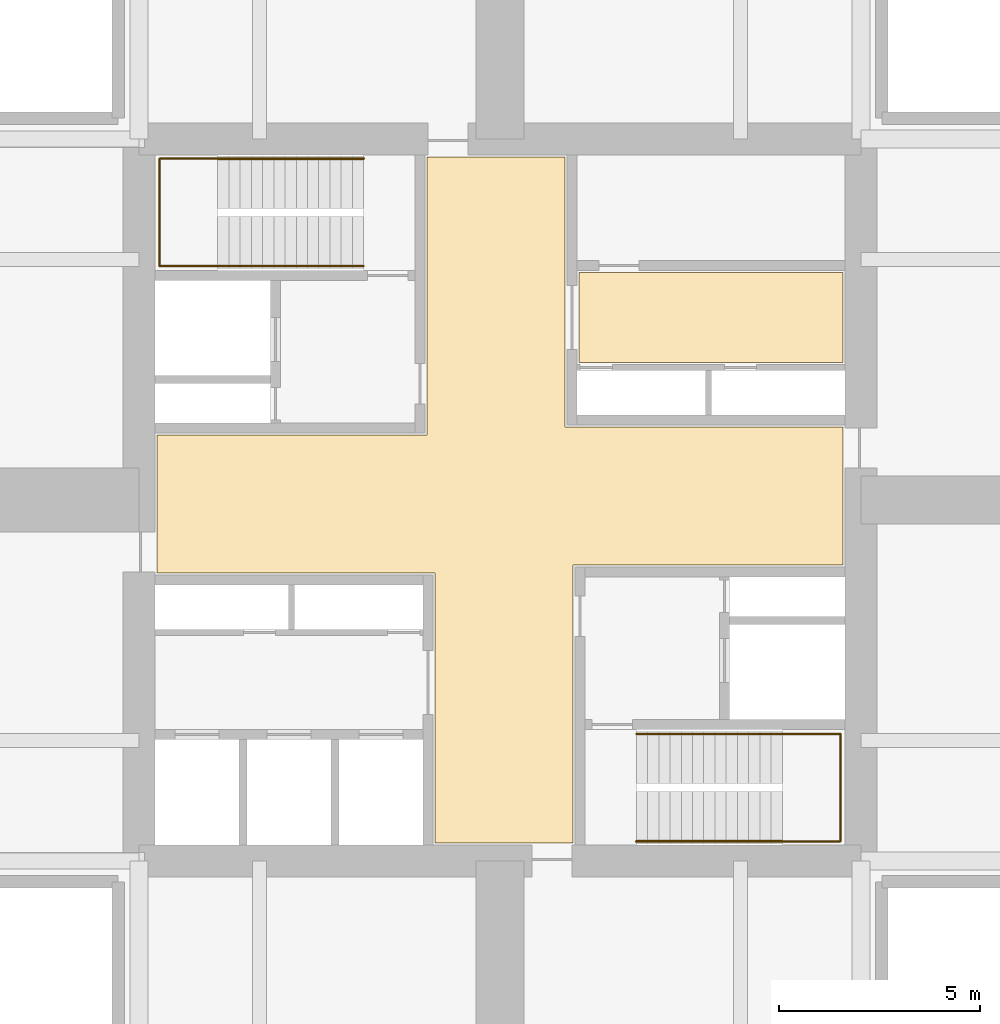
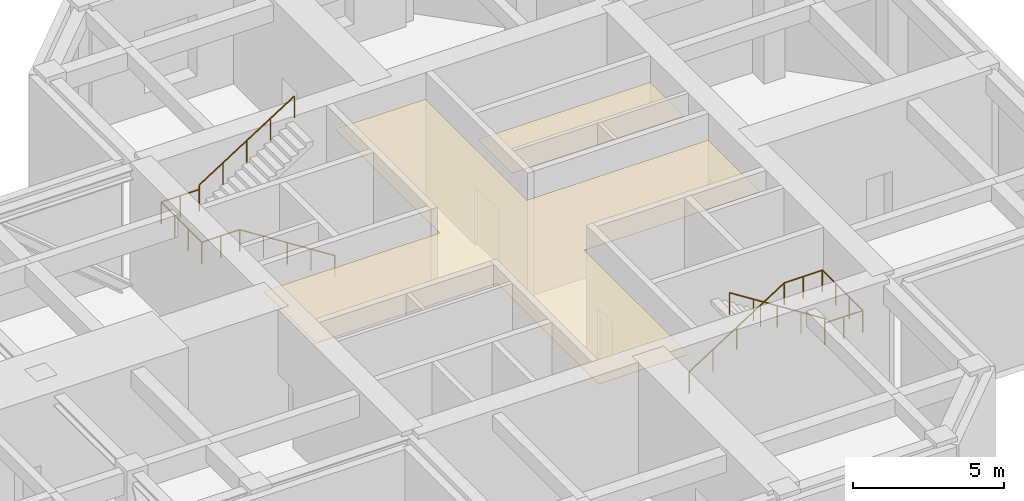
# One storey, part 6 of 6: 4 railings, 2 coverings.
"""IFC4 building model written with IfcOpenShell, lengths in metres."""

from ifc_helpers import new_model, si_unit, direction, frame, origin, origin_2d, place, context, subcontext, project, spatial, polyline, circle, outline, extrude, material, layer, layer_set, type_object, element, save


model = new_model("IFC4")

# Units and contexts
model_context = context("Model", 3, precision=1e-05, world=origin(), true_north=direction((0.0, 1.0)))
body_context = subcontext(model_context, "Body", "Model", "MODEL_VIEW")
ifc_project = project(units=[si_unit("LENGTHUNIT", "METRE"), si_unit("AREAUNIT", "SQUARE_METRE"), si_unit("VOLUMEUNIT", "CUBIC_METRE"), si_unit("PLANEANGLEUNIT", "RADIAN"), si_unit("MASSUNIT", "GRAM", prefix="KILO")], contexts=[model_context])

# Site, building, storey
site_placement = place(None, origin())
site = spatial("IfcSite", under=ifc_project, at=site_placement, CompositionType="ELEMENT")
building_placement = place(site_placement, origin())
building = spatial("IfcBuilding", under=site, at=building_placement, Name="Torre Cruceta", CompositionType="ELEMENT")
storey_placement = place(building_placement, frame((0.0, 0.0, 252.699951171875)))
storey = spatial("IfcBuildingStorey", under=building, at=storey_placement, Name="L65", CompositionType="ELEMENT", Elevation=252.699951171875)

# Railings
ifc_material_1 = material(Name="Stainless steel 1.4401", Category="steel")
railing_type = type_object("IfcRailingType", Name="HANDRAIL 900", PredefinedType="HANDRAIL", material=ifc_material_1)
railing_1_placement = place(storey_placement, frame((-3.39990234375, 5.8349609375, 0.1787109375)))
element("IfcRailing", 1, at=railing_1_placement, inside=storey, type_object=railing_type, Name="Handrail HR1 ST1 L65", PredefinedType="HANDRAIL", context=body_context, shape_type="SweptSolid", body=[
    extrude(circle(Radius=0.02392578125, at=origin_2d()), frame((0.0, 0.0, 0.8759765625), z_axis=(-0.843153495434, 0.0, 0.537672933239), x_axis=(0.0, -1.0, 0.0)), (0.0, 0.0, 1.0), 4.3173828125),
    extrude(circle(Radius=0.02392578125, at=origin_2d()), frame((-3.64013671875, 0.0, 3.197265625), z_axis=(-1.0, 0.0, 0.0), x_axis=(0.0, -1.0, 0.0)), (0.0, 0.0, 1.0), 1.449951171875),
    extrude(circle(Radius=0.02392578125, at=origin_2d()), frame((-5.090087890625, 0.0, 3.197265625), z_axis=(0.0, 1.0, 0.0), x_axis=(-1.0, 0.0, 0.0)), (0.0, 0.0, 1.0), 2.679931640625),
    extrude(circle(Radius=0.02392578125, at=origin_2d()), frame((-5.090087890625, 2.679931640625, 3.197265625), z_axis=(1.0, 0.0, 0.0), x_axis=(0.0, 1.0, 0.0)), (0.0, 0.0, 1.0), 1.449951171875),
    extrude(circle(Radius=0.02099609375, at=origin_2d()), origin(), (0.0, 0.0, 1.0), 0.851806640625),
    extrude(circle(Radius=0.02099609375, at=origin_2d()), frame((-0.91015625, 0.0, 0.580322265625)), (0.0, 0.0, 1.0), 0.851806640625),
    extrude(circle(Radius=0.02099609375, at=origin_2d()), frame((-1.820068359375, 0.0, 1.16064453125)), (0.0, 0.0, 1.0), 0.851806640625),
    extrude(circle(Radius=0.02099609375, at=origin_2d()), frame((-2.72998046875, 0.0, 1.740966796875)), (0.0, 0.0, 1.0), 0.851806640625),
    extrude(circle(Radius=0.02099609375, at=origin_2d()), frame((-3.64013671875, 0.0, 2.3212890625)), (0.0, 0.0, 1.0), 0.851806640625),
    extrude(circle(Radius=0.02099609375, at=origin_2d()), frame((-4.365234375, 0.0, 2.3212890625)), (0.0, 0.0, 1.0), 0.851806640625),
    extrude(circle(Radius=0.02099609375, at=origin_2d()), frame((-5.090087890625, 0.0, 2.3212890625)), (0.0, 0.0, 1.0), 0.851806640625),
    extrude(circle(Radius=0.02099609375, at=origin_2d()), frame((-5.090087890625, 0.893310546875, 2.3212890625)), (0.0, 0.0, 1.0), 0.851806640625),
    extrude(circle(Radius=0.02099609375, at=origin_2d()), frame((-5.090087890625, 1.78662109375, 2.3212890625)), (0.0, 0.0, 1.0), 0.851806640625),
    extrude(circle(Radius=0.02099609375, at=origin_2d()), frame((-5.090087890625, 2.679931640625, 2.3212890625)), (0.0, 0.0, 1.0), 0.851806640625),
    extrude(circle(Radius=0.02099609375, at=origin_2d()), frame((-4.365234375, 2.679931640625, 2.3212890625)), (0.0, 0.0, 1.0), 0.851806640625),
    extrude(circle(Radius=0.02099609375, at=origin_2d()), frame((-3.64013671875, 2.679931640625, 2.3212890625)), (0.0, 0.0, 1.0), 0.851806640625),
])
railing_2_placement = place(storey_placement, frame((-7.0400390625, 8.514892578125, 2.6787109375)))
element("IfcRailing", 2, at=railing_2_placement, inside=storey, type_object=railing_type, Name="Handrail HR1 ST1 L65", PredefinedType="HANDRAIL", context=body_context, shape_type="SweptSolid", body=[
    extrude(circle(Radius=0.02392578125, at=origin_2d()), frame((0.0, 0.0, 0.8759765625), z_axis=(0.843153495434, 0.0, 0.537672933239), x_axis=(0.0, 1.0, 0.0)), (0.0, 0.0, 1.0), 4.3173828125),
    extrude(circle(Radius=0.02099609375, at=origin_2d()), origin(), (0.0, 0.0, 1.0), 0.851806640625),
    extrude(circle(Radius=0.02099609375, at=origin_2d()), frame((0.91015625, 0.0, 0.580322265625)), (0.0, 0.0, 1.0), 0.851806640625),
    extrude(circle(Radius=0.02099609375, at=origin_2d()), frame((1.820068359375, 0.0, 1.16064453125)), (0.0, 0.0, 1.0), 0.851806640625),
    extrude(circle(Radius=0.02099609375, at=origin_2d()), frame((2.72998046875, 0.0, 1.740966796875)), (0.0, 0.0, 1.0), 0.851806640625),
    extrude(circle(Radius=0.02099609375, at=origin_2d()), frame((3.64013671875, 0.0, 2.3212890625)), (0.0, 0.0, 1.0), 0.851806640625),
])
railing_3_placement = place(storey_placement, frame((3.39990234375, -5.8349609375, 0.1787109375)))
element("IfcRailing", 3, at=railing_3_placement, inside=storey, type_object=railing_type, Name="Handrail HR1 ST2 L65", PredefinedType="HANDRAIL", context=body_context, shape_type="SweptSolid", body=[
    extrude(circle(Radius=0.02392578125, at=origin_2d()), frame((0.0, 0.0, 0.8759765625), z_axis=(0.843153495434, 0.0, 0.537672933239), x_axis=(0.0, 1.0, 0.0)), (0.0, 0.0, 1.0), 4.3173828125),
    extrude(circle(Radius=0.02392578125, at=origin_2d()), frame((3.64013671875, 0.0, 3.197265625), z_axis=(1.0, 0.0, 0.0), x_axis=(0.0, 1.0, 0.0)), (0.0, 0.0, 1.0), 1.449951171875),
    extrude(circle(Radius=0.02392578125, at=origin_2d()), frame((5.090087890625, 0.0, 3.197265625), z_axis=(0.0, -1.0, 0.0), x_axis=(1.0, 0.0, 0.0)), (0.0, 0.0, 1.0), 2.679931640625),
    extrude(circle(Radius=0.02392578125, at=origin_2d()), frame((5.090087890625, -2.679931640625, 3.197265625), z_axis=(-1.0, 0.0, 0.0), x_axis=(0.0, -1.0, 0.0)), (0.0, 0.0, 1.0), 1.449951171875),
    extrude(circle(Radius=0.02099609375, at=origin_2d()), origin(), (0.0, 0.0, 1.0), 0.851806640625),
    extrude(circle(Radius=0.02099609375, at=origin_2d()), frame((0.91015625, 0.0, 0.580322265625)), (0.0, 0.0, 1.0), 0.851806640625),
    extrude(circle(Radius=0.02099609375, at=origin_2d()), frame((1.820068359375, 0.0, 1.16064453125)), (0.0, 0.0, 1.0), 0.851806640625),
    extrude(circle(Radius=0.02099609375, at=origin_2d()), frame((2.72998046875, 0.0, 1.740966796875)), (0.0, 0.0, 1.0), 0.851806640625),
    extrude(circle(Radius=0.02099609375, at=origin_2d()), frame((3.64013671875, 0.0, 2.3212890625)), (0.0, 0.0, 1.0), 0.851806640625),
    extrude(circle(Radius=0.02099609375, at=origin_2d()), frame((4.365234375, 0.0, 2.3212890625)), (0.0, 0.0, 1.0), 0.851806640625),
    extrude(circle(Radius=0.02099609375, at=origin_2d()), frame((5.090087890625, 0.0, 2.3212890625)), (0.0, 0.0, 1.0), 0.851806640625),
    extrude(circle(Radius=0.02099609375, at=origin_2d()), frame((5.090087890625, -0.893310546875, 2.3212890625)), (0.0, 0.0, 1.0), 0.851806640625),
    extrude(circle(Radius=0.02099609375, at=origin_2d()), frame((5.090087890625, -1.78662109375, 2.3212890625)), (0.0, 0.0, 1.0), 0.851806640625),
    extrude(circle(Radius=0.02099609375, at=origin_2d()), frame((5.090087890625, -2.679931640625, 2.3212890625)), (0.0, 0.0, 1.0), 0.851806640625),
    extrude(circle(Radius=0.02099609375, at=origin_2d()), frame((4.365234375, -2.679931640625, 2.3212890625)), (0.0, 0.0, 1.0), 0.851806640625),
    extrude(circle(Radius=0.02099609375, at=origin_2d()), frame((3.64013671875, -2.679931640625, 2.3212890625)), (0.0, 0.0, 1.0), 0.851806640625),
])
railing_4_placement = place(storey_placement, frame((7.0400390625, -8.514892578125, 2.6787109375)))
element("IfcRailing", 4, at=railing_4_placement, inside=storey, type_object=railing_type, Name="Handrail HR1 ST2 L65", PredefinedType="HANDRAIL", context=body_context, shape_type="SweptSolid", body=[
    extrude(circle(Radius=0.02392578125, at=origin_2d()), frame((0.0, 0.0, 0.8759765625), z_axis=(-0.843153495434, 0.0, 0.537672933239), x_axis=(0.0, -1.0, 0.0)), (0.0, 0.0, 1.0), 4.3173828125),
    extrude(circle(Radius=0.02099609375, at=origin_2d()), origin(), (0.0, 0.0, 1.0), 0.851806640625),
    extrude(circle(Radius=0.02099609375, at=origin_2d()), frame((-0.91015625, 0.0, 0.580322265625)), (0.0, 0.0, 1.0), 0.851806640625),
    extrude(circle(Radius=0.02099609375, at=origin_2d()), frame((-1.820068359375, 0.0, 1.16064453125)), (0.0, 0.0, 1.0), 0.851806640625),
    extrude(circle(Radius=0.02099609375, at=origin_2d()), frame((-2.72998046875, 0.0, 1.740966796875)), (0.0, 0.0, 1.0), 0.851806640625),
    extrude(circle(Radius=0.02099609375, at=origin_2d()), frame((-3.64013671875, 0.0, 2.3212890625)), (0.0, 0.0, 1.0), 0.851806640625),
])

# Coverings
ifc_material_2 = material(Name="Mineral fibre ceiling tile", Category="gypsum")
ifc_layer = layer(ifc_material_2, 0.02001953125)
ifc_layer_set = layer_set([ifc_layer], Name="Mineral fibre ceiling tile")
covering_type = type_object("IfcCoveringType", Name="SUSPENDED CEILING 20", PredefinedType="CEILING", material=ifc_layer_set)
covering_1_placement = place(storey_placement, frame((0.0, 0.0, 3.949951171875)))
element("IfcCovering", 5, at=covering_1_placement, inside=storey, type_object=covering_type, Name="Ceiling L65-002", PredefinedType="CEILING", context=body_context, shape_type="SweptSolid", body=[
    extrude(outline(polyline([(-1.625, -8.550048828125), (-1.625, -1.824951171875), (-8.550048828125, -1.824951171875), (-8.550048828125, 1.625), (-1.824951171875, 1.625), (-1.824951171875, 8.550048828125), (1.625, 8.550048828125), (1.625, 1.824951171875), (8.550048828125, 1.824951171875), (8.550048828125, -1.625), (1.824951171875, -1.625), (1.824951171875, -8.550048828125), (-1.625, -8.550048828125)])), origin(), (0.0, 0.0, 1.0), 0.02001953125),
])
covering_2_placement = place(storey_placement, frame((0.0, 0.0, 3.949951171875)))
element("IfcCovering", 6, at=covering_2_placement, inside=storey, type_object=covering_type, Name="Ceiling L65-003", PredefinedType="CEILING", context=body_context, shape_type="SweptSolid", body=[
    extrude(outline(polyline([(1.97509765625, 3.425048828125), (1.97509765625, 5.675048828125), (8.550048828125, 5.675048828125), (8.550048828125, 3.425048828125), (1.97509765625, 3.425048828125)])), origin(), (0.0, 0.0, 1.0), 0.02001953125),
])

save(model, "model.ifc")
